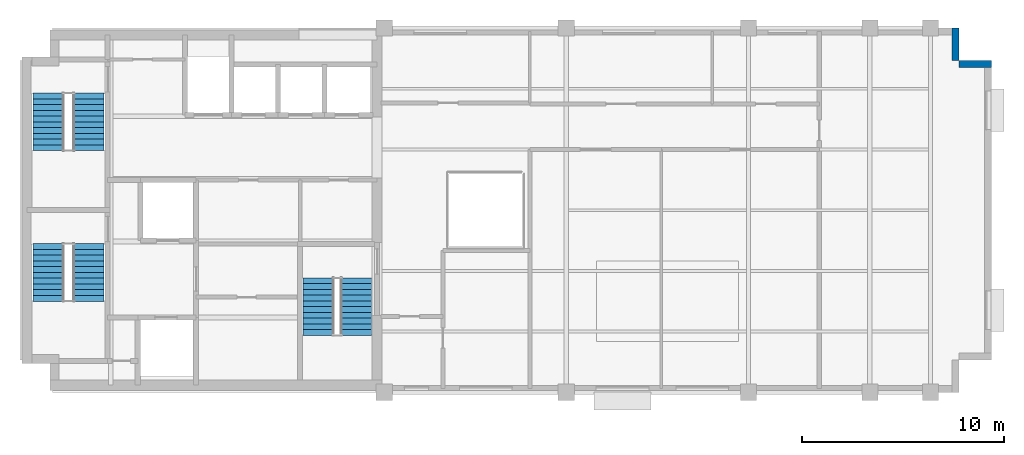
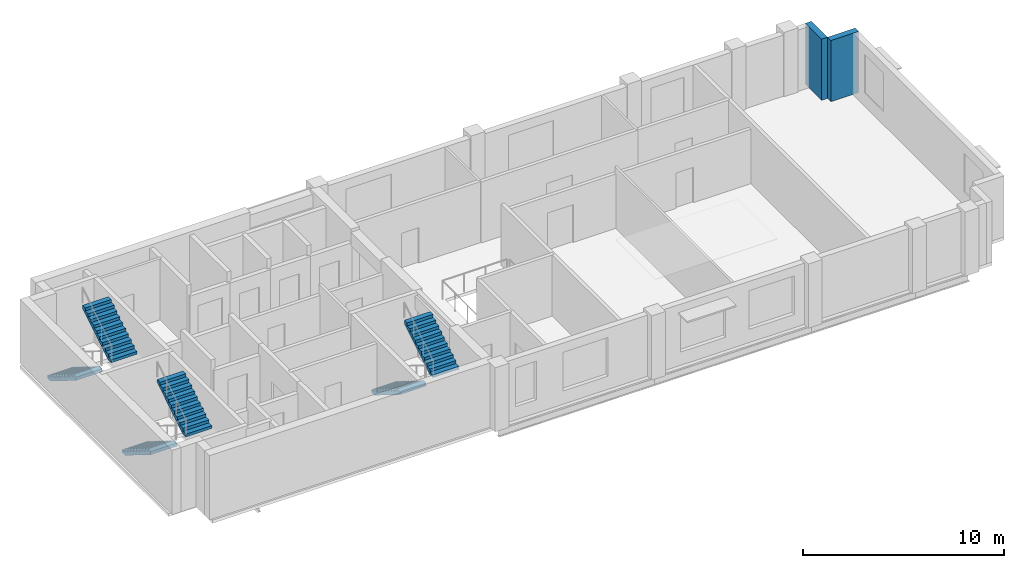
# One storey, part 4 of 5: 6 stair flights, 2 walls, 3 elements without a shape of their own.
"""IFC4 building model written with IfcOpenShell, lengths in metres."""

from ifc_helpers import new_model, si_unit, direction, frame, frame_2d, origin, place, context, subcontext, project, spatial, polyline, rectangle, outline, extrude, material, layer, layer_set, type_object, element, aggregate, save


model = new_model("IFC4")

# Units and contexts
model_context = context("Model", 3, precision=1e-05, world=origin(), true_north=direction((0.0, 1.0)))
body_context = subcontext(model_context, "Body", "Model", "MODEL_VIEW")
ifc_project = project(units=[si_unit("LENGTHUNIT", "METRE"), si_unit("AREAUNIT", "SQUARE_METRE"), si_unit("VOLUMEUNIT", "CUBIC_METRE"), si_unit("PLANEANGLEUNIT", "RADIAN"), si_unit("MASSUNIT", "GRAM", prefix="KILO")], contexts=[model_context])

# Site, building, storey
site_placement = place(None, origin())
site = spatial("IfcSite", under=ifc_project, at=site_placement, CompositionType="ELEMENT")
building_placement = place(site_placement, origin())
building = spatial("IfcBuilding", under=site, at=building_placement, Name="Mawjdan Bourse Tower", CompositionType="ELEMENT")
storey_placement = place(building_placement, frame((0.0, 0.0, 270.300048828125)))
storey = spatial("IfcBuildingStorey", under=building, at=storey_placement, Name="L66", CompositionType="ELEMENT", Elevation=270.300048828125)

# Walls
ifc_material_1 = material(Name="Brick Masonry Buff", Category="masonry")
ifc_layer = layer(ifc_material_1, 0.340087890625)
ifc_layer_set = layer_set([ifc_layer], Name="Brick Masonry Buff")
wall_type = type_object("IfcWallType", Name="WL-BRK-SPN-340", PredefinedType="STANDARD", material=ifc_layer_set)
for number, where, z_axis, x_axis, name in (
    (1, (54.0, 19.22998046875, 0.0), (0.0, 0.0, 1.0), (-1.0, 0.0, 0.0), "L66 Exterior Brick Wall 5"),
    (2, (52.22998046875, 19.39990234375, 0.0), (0.0, 0.0, 1.0), (0.0, 1.0, 0.0), "L66 Exterior Brick Wall 6"),
):
    element("IfcWall", number, at=place(storey_placement, frame(where, z_axis=z_axis, x_axis=x_axis)), inside=storey, type_object=wall_type, Name=name, PredefinedType="STANDARD", context=body_context, shape_type="SweptSolid", body=[
        extrude(rectangle(XDim=1.60009765625, YDim=0.340087890625, at=frame_2d((0.800048828125, 0.0))), origin(), (0.0, 0.0, 1.0), 3.71484375),
    ])

# Stair, stair flights
ifc_material_2 = material(Name="Concrete C50/60", Category="concrete")
stair_type = type_object("IfcStairType", Name="STR-CORE-1500", PredefinedType="HALF_TURN_STAIR", material=ifc_material_2)
stair_1_placement = place(storey_placement, origin())
stair_1 = element("IfcStair", 3, at=stair_1_placement, inside=storey, type_object=stair_type, Name="L66 Exit Stair 1 (Core South-West)", PredefinedType="HALF_TURN_STAIR")
stair_flight_type = type_object("IfcStairFlightType", Name="SFL-RC-1500", PredefinedType="STRAIGHT", material=ifc_material_2)
stair_flight_1_placement = place(storey_placement, frame((7.389892578125, 10.35009765625, 0.0), z_axis=(0.0, 0.0, 1.0), x_axis=(0.0, -1.0, 0.0)))
stair_flight_1 = element("IfcStairFlight", 4, at=stair_flight_1_placement, type_object=stair_flight_type, Name="ST1-L66 flight 1", NumberOfRisers=11, NumberOfTreads=10, PredefinedType="STRAIGHT", RiserHeight=0.177273, TreadLength=0.285, context=body_context, shape_type="SweptSolid", body=[
    extrude(outline(polyline([(0.0, 0.0), (0.0, 0.17724609375), (0.284912109375, 0.17724609375), (0.284912109375, 0.3544921875), (0.570068359375, 0.3544921875), (0.570068359375, 0.53173828125), (0.85498046875, 0.53173828125), (0.85498046875, 0.708984375), (1.139892578125, 0.708984375), (1.139892578125, 0.886474609375), (1.425048828125, 0.886474609375), (1.425048828125, 1.063720703125), (1.7099609375, 1.063720703125), (1.7099609375, 1.240966796875), (1.9951171875, 1.240966796875), (1.9951171875, 1.418212890625), (2.280029296875, 1.418212890625), (2.280029296875, 1.595458984375), (2.56494140625, 1.595458984375), (2.56494140625, 1.772705078125), (2.85009765625, 1.772705078125), (2.85009765625, 1.949951171875), (2.85009765625, 1.58447265625), (0.302734375, 0.0), (0.0, 0.0)])), frame((0.0, 0.75, 0.0), z_axis=(0.0, -1.0, 0.0), x_axis=(1.0, 0.0, 0.0)), (0.0, 0.0, 1.0), 1.5),
])
stair_flight_2_placement = place(storey_placement, frame((9.409912109375, 7.5, 1.949951171875), z_axis=(0.0, 0.0, 1.0), x_axis=(0.0, 1.0, 0.0)))
stair_flight_2 = element("IfcStairFlight", 5, at=stair_flight_2_placement, type_object=stair_flight_type, Name="ST1-L66 flight 2", NumberOfRisers=11, NumberOfTreads=10, PredefinedType="STRAIGHT", RiserHeight=0.177273, TreadLength=0.285, context=body_context, shape_type="SweptSolid", body=[
    extrude(outline(polyline([(0.0, 0.0), (0.0, 0.17724609375), (0.284912109375, 0.17724609375), (0.284912109375, 0.3544921875), (0.570068359375, 0.3544921875), (0.570068359375, 0.53173828125), (0.85498046875, 0.53173828125), (0.85498046875, 0.708984375), (1.139892578125, 0.708984375), (1.139892578125, 0.886474609375), (1.425048828125, 0.886474609375), (1.425048828125, 1.063720703125), (1.7099609375, 1.063720703125), (1.7099609375, 1.240966796875), (1.9951171875, 1.240966796875), (1.9951171875, 1.418212890625), (2.280029296875, 1.418212890625), (2.280029296875, 1.595458984375), (2.56494140625, 1.595458984375), (2.56494140625, 1.772705078125), (2.85009765625, 1.772705078125), (2.85009765625, 1.949951171875), (2.85009765625, 1.58447265625), (0.302734375, 0.0), (0.0, 0.0)])), frame((0.0, 0.75, 0.0), z_axis=(0.0, -1.0, 0.0), x_axis=(1.0, 0.0, 0.0)), (0.0, 0.0, 1.0), 1.5),
])
aggregate(stair_1, [stair_flight_1, stair_flight_2])

stair_2_placement = place(storey_placement, origin())
stair_2 = element("IfcStair", 6, at=stair_2_placement, inside=storey, type_object=stair_type, Name="L66 Exit Stair 2 (Core North-West)", PredefinedType="HALF_TURN_STAIR")
stair_flight_3_placement = place(storey_placement, frame((7.389892578125, 17.7900390625, 0.0), z_axis=(0.0, 0.0, 1.0), x_axis=(0.0, -1.0, 0.0)))
stair_flight_3 = element("IfcStairFlight", 7, at=stair_flight_3_placement, type_object=stair_flight_type, Name="ST2-L66 flight 1", NumberOfRisers=11, NumberOfTreads=10, PredefinedType="STRAIGHT", RiserHeight=0.177273, TreadLength=0.285, context=body_context, shape_type="SweptSolid", body=[
    extrude(outline(polyline([(0.0, 0.0), (0.0, 0.17724609375), (0.284912109375, 0.17724609375), (0.284912109375, 0.3544921875), (0.570068359375, 0.3544921875), (0.570068359375, 0.53173828125), (0.85498046875, 0.53173828125), (0.85498046875, 0.708984375), (1.139892578125, 0.708984375), (1.139892578125, 0.886474609375), (1.425048828125, 0.886474609375), (1.425048828125, 1.063720703125), (1.7099609375, 1.063720703125), (1.7099609375, 1.240966796875), (1.9951171875, 1.240966796875), (1.9951171875, 1.418212890625), (2.280029296875, 1.418212890625), (2.280029296875, 1.595458984375), (2.56494140625, 1.595458984375), (2.56494140625, 1.772705078125), (2.85009765625, 1.772705078125), (2.85009765625, 1.949951171875), (2.85009765625, 1.58447265625), (0.302734375, 0.0), (0.0, 0.0)])), frame((0.0, 0.75, 0.0), z_axis=(0.0, -1.0, 0.0), x_axis=(1.0, 0.0, 0.0)), (0.0, 0.0, 1.0), 1.5),
])
stair_flight_4_placement = place(storey_placement, frame((9.409912109375, 14.93994140625, 1.949951171875), z_axis=(0.0, 0.0, 1.0), x_axis=(0.0, 1.0, 0.0)))
stair_flight_4 = element("IfcStairFlight", 8, at=stair_flight_4_placement, type_object=stair_flight_type, Name="ST2-L66 flight 2", NumberOfRisers=11, NumberOfTreads=10, PredefinedType="STRAIGHT", RiserHeight=0.177273, TreadLength=0.285, context=body_context, shape_type="SweptSolid", body=[
    extrude(outline(polyline([(0.0, 0.0), (0.0, 0.17724609375), (0.284912109375, 0.17724609375), (0.284912109375, 0.3544921875), (0.570068359375, 0.3544921875), (0.570068359375, 0.53173828125), (0.85498046875, 0.53173828125), (0.85498046875, 0.708984375), (1.139892578125, 0.708984375), (1.139892578125, 0.886474609375), (1.425048828125, 0.886474609375), (1.425048828125, 1.063720703125), (1.7099609375, 1.063720703125), (1.7099609375, 1.240966796875), (1.9951171875, 1.240966796875), (1.9951171875, 1.418212890625), (2.280029296875, 1.418212890625), (2.280029296875, 1.595458984375), (2.56494140625, 1.595458984375), (2.56494140625, 1.772705078125), (2.85009765625, 1.772705078125), (2.85009765625, 1.949951171875), (2.85009765625, 1.58447265625), (0.302734375, 0.0), (0.0, 0.0)])), frame((0.0, 0.75, 0.0), z_axis=(0.0, -1.0, 0.0), x_axis=(1.0, 0.0, 0.0)), (0.0, 0.0, 1.0), 1.5),
])
aggregate(stair_2, [stair_flight_3, stair_flight_4])

stair_3_placement = place(storey_placement, origin())
stair_3 = element("IfcStair", 9, at=stair_3_placement, inside=storey, type_object=stair_type, Name="L66 Exit Stair 7 (Core South-East)", PredefinedType="HALF_TURN_STAIR")
stair_flight_5_placement = place(storey_placement, frame((20.739990234375, 8.659912109375, 0.0), z_axis=(0.0, 0.0, 1.0), x_axis=(0.0, -1.0, 0.0)))
stair_flight_5 = element("IfcStairFlight", 10, at=stair_flight_5_placement, type_object=stair_flight_type, Name="ST7-L66 flight 1", NumberOfRisers=11, NumberOfTreads=10, PredefinedType="STRAIGHT", RiserHeight=0.177273, TreadLength=0.285, context=body_context, shape_type="SweptSolid", body=[
    extrude(outline(polyline([(0.0, 0.0), (0.0, 0.17724609375), (0.284912109375, 0.17724609375), (0.284912109375, 0.3544921875), (0.570068359375, 0.3544921875), (0.570068359375, 0.53173828125), (0.85498046875, 0.53173828125), (0.85498046875, 0.708984375), (1.139892578125, 0.708984375), (1.139892578125, 0.886474609375), (1.425048828125, 0.886474609375), (1.425048828125, 1.063720703125), (1.7099609375, 1.063720703125), (1.7099609375, 1.240966796875), (1.9951171875, 1.240966796875), (1.9951171875, 1.418212890625), (2.280029296875, 1.418212890625), (2.280029296875, 1.595458984375), (2.56494140625, 1.595458984375), (2.56494140625, 1.772705078125), (2.85009765625, 1.772705078125), (2.85009765625, 1.949951171875), (2.85009765625, 1.58447265625), (0.302734375, 0.0), (0.0, 0.0)])), frame((0.0, 0.75, 0.0), z_axis=(0.0, -1.0, 0.0), x_axis=(1.0, 0.0, 0.0)), (0.0, 0.0, 1.0), 1.5),
])
stair_flight_6_placement = place(storey_placement, frame((22.6298828125, 5.81005859375, 1.949951171875), z_axis=(0.0, 0.0, 1.0), x_axis=(0.0, 1.0, 0.0)))
stair_flight_6 = element("IfcStairFlight", 11, at=stair_flight_6_placement, type_object=stair_flight_type, Name="ST7-L66 flight 2", NumberOfRisers=11, NumberOfTreads=10, PredefinedType="STRAIGHT", RiserHeight=0.177273, TreadLength=0.285, context=body_context, shape_type="SweptSolid", body=[
    extrude(outline(polyline([(0.0, 0.0), (0.0, 0.17724609375), (0.284912109375, 0.17724609375), (0.284912109375, 0.3544921875), (0.570068359375, 0.3544921875), (0.570068359375, 0.53173828125), (0.85498046875, 0.53173828125), (0.85498046875, 0.708984375), (1.139892578125, 0.708984375), (1.139892578125, 0.886474609375), (1.425048828125, 0.886474609375), (1.425048828125, 1.063720703125), (1.7099609375, 1.063720703125), (1.7099609375, 1.240966796875), (1.9951171875, 1.240966796875), (1.9951171875, 1.418212890625), (2.280029296875, 1.418212890625), (2.280029296875, 1.595458984375), (2.56494140625, 1.595458984375), (2.56494140625, 1.772705078125), (2.85009765625, 1.772705078125), (2.85009765625, 1.949951171875), (2.85009765625, 1.58447265625), (0.302734375, 0.0), (0.0, 0.0)])), frame((0.0, 0.75, 0.0), z_axis=(0.0, -1.0, 0.0), x_axis=(1.0, 0.0, 0.0)), (0.0, 0.0, 1.0), 1.5),
])
aggregate(stair_3, [stair_flight_5, stair_flight_6])

save(model, "model.ifc")
